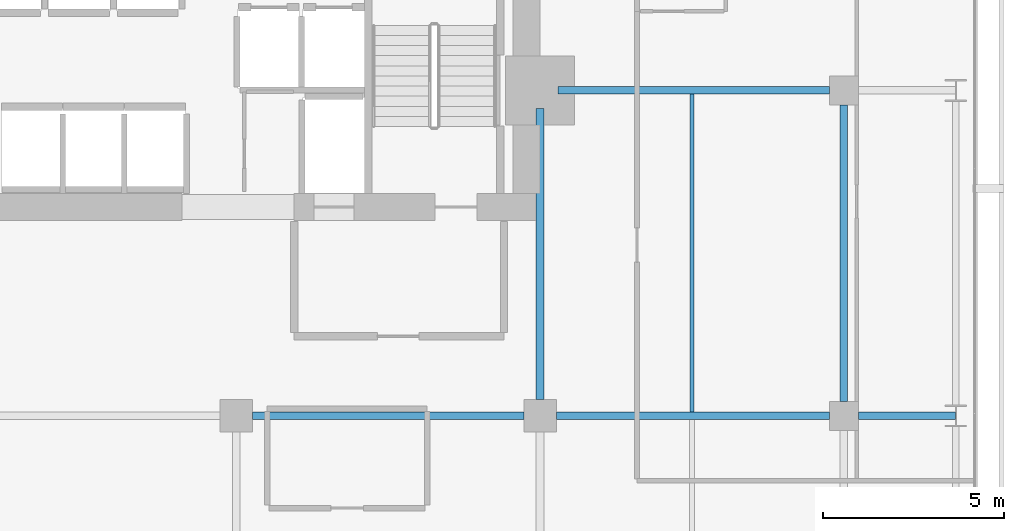
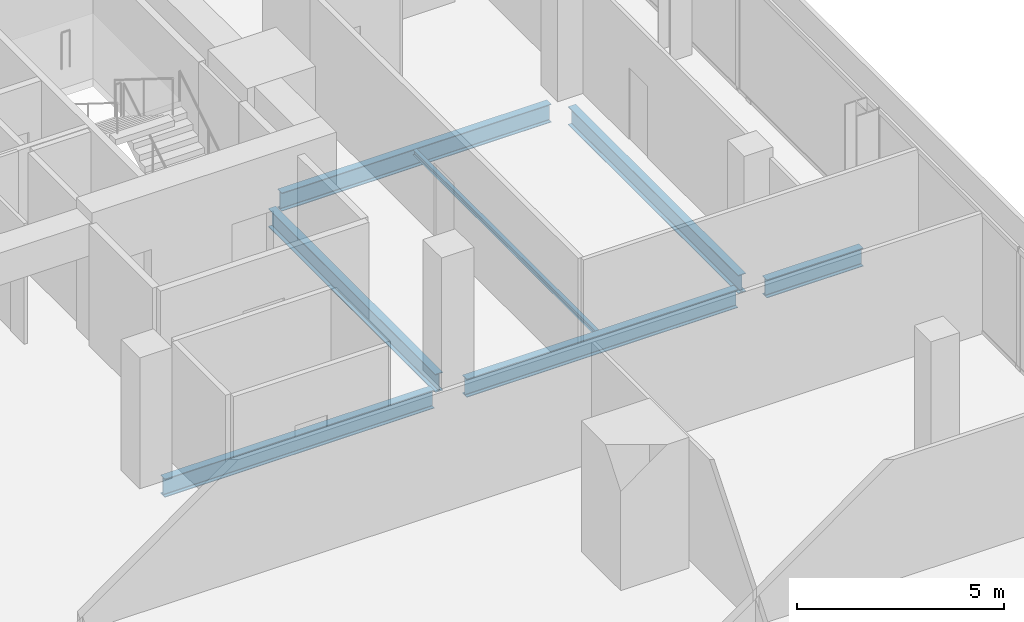
# One storey, part 23 of 32: 7 beams.
"""IFC4 building model written with IfcOpenShell, lengths in metres."""

from ifc_helpers import new_model, si_unit, direction, frame, origin, origin_2d, place, context, subcontext, project, spatial, i_section, extrude, material, material_profile, profile_set, type_object, element, save


model = new_model("IFC4")

# Units and contexts
model_context = context("Model", 3, precision=1e-05, world=origin(), true_north=direction((0.0, 1.0)))
body_context = subcontext(model_context, "Body", "Model", "MODEL_VIEW")
ifc_project = project(units=[si_unit("LENGTHUNIT", "METRE"), si_unit("AREAUNIT", "SQUARE_METRE"), si_unit("VOLUMEUNIT", "CUBIC_METRE"), si_unit("PLANEANGLEUNIT", "RADIAN"), si_unit("MASSUNIT", "GRAM", prefix="KILO")], contexts=[model_context])

# Site, building, storey
site_placement = place(None, origin())
site = spatial("IfcSite", under=ifc_project, at=site_placement, CompositionType="ELEMENT")
building_placement = place(site_placement, origin())
building = spatial("IfcBuilding", under=site, at=building_placement, Name="Maruvema Waterfront Hotel and Observation Tower", CompositionType="ELEMENT")
storey_placement = place(building_placement, frame((0.0, 0.0, 223.64990234375)))
storey = spatial("IfcBuildingStorey", under=building, at=storey_placement, Name="L55", CompositionType="ELEMENT", Elevation=223.64990234375)

# Beams
ifc_material_1 = material(Name="Steel ASTM A572 Grade 50", Category="steel")
ifc_material_profile_1 = material_profile(ifc_material_1, i_section(OverallWidth=0.2109375, OverallDepth=0.5390625, WebThickness=0.01171875, FlangeThickness=0.018798828125, FilletRadius=0.014892578125, at=origin_2d()), Name="W530x109.0")
ifc_profile_set_1 = profile_set([ifc_material_profile_1], Name="Steel ASTM A572 Grade 50")
beam_type_1 = type_object("IfcBeamType", Name="Primary Floor Girder W530x109.0", PredefinedType="BEAM", material=ifc_profile_set_1)
beam_1_placement = place(storey_placement, frame((42.449951171875, 36.0, -0.509521484375), z_axis=(1.0, 0.0, 0.0), x_axis=(0.0, 1.0, 0.0)))
element("IfcBeam", 1, at=beam_1_placement, inside=storey, type_object=beam_type_1, Name="L55 Floor Girder EW-27", PredefinedType="BEAM", context=body_context, shape_type="SweptSolid", body=[
    extrude(i_section(OverallWidth=0.2109375, OverallDepth=0.5390625, WebThickness=0.01171875, FlangeThickness=0.018798828125, FilletRadius=0.014892578125, at=origin_2d()), origin(), (0.0, 0.0, 1.0), 7.5),
])
beam_2_placement = place(storey_placement, frame((50.85009765625, 36.0, -0.509521484375), z_axis=(1.0, 0.0, 0.0), x_axis=(0.0, 1.0, 0.0)))
element("IfcBeam", 2, at=beam_2_placement, inside=storey, type_object=beam_type_1, Name="L55 Floor Girder EW-28", PredefinedType="BEAM", context=body_context, shape_type="SweptSolid", body=[
    extrude(i_section(OverallWidth=0.2109375, OverallDepth=0.5390625, WebThickness=0.01171875, FlangeThickness=0.018798828125, FilletRadius=0.014892578125, at=origin_2d()), origin(), (0.0, 0.0, 1.0), 7.5498046875),
])
beam_3_placement = place(storey_placement, frame((59.199951171875, 36.0, -0.509521484375), z_axis=(1.0, 0.0, 0.0), x_axis=(0.0, 1.0, 0.0)))
element("IfcBeam", 3, at=beam_3_placement, inside=storey, type_object=beam_type_1, Name="L55 Floor Girder EW-29", PredefinedType="BEAM", context=body_context, shape_type="SweptSolid", body=[
    extrude(i_section(OverallWidth=0.2109375, OverallDepth=0.5390625, WebThickness=0.01171875, FlangeThickness=0.018798828125, FilletRadius=0.014892578125, at=origin_2d()), origin(), (0.0, 0.0, 1.0), 2.6875),
])
beam_4_placement = place(storey_placement, frame((50.89990234375, 45.0, -0.509521484375), z_axis=(1.0, 0.0, 0.0), x_axis=(0.0, 1.0, 0.0)))
element("IfcBeam", 4, at=beam_4_placement, inside=storey, type_object=beam_type_1, Name="L55 Floor Girder EW-32", PredefinedType="BEAM", context=body_context, shape_type="SweptSolid", body=[
    extrude(i_section(OverallWidth=0.2109375, OverallDepth=0.5390625, WebThickness=0.01171875, FlangeThickness=0.018798828125, FilletRadius=0.014892578125, at=origin_2d()), origin(), (0.0, 0.0, 1.0), 7.5),
])
beam_5_placement = place(storey_placement, frame((50.39990234375, 36.449951171875, -0.509521484375), z_axis=(0.0, 1.0, 0.0), x_axis=(-1.0, 0.0, 0.0)))
element("IfcBeam", 5, at=beam_5_placement, inside=storey, type_object=beam_type_1, Name="L55 Floor Girder NS-24", PredefinedType="BEAM", context=body_context, shape_type="SweptSolid", body=[
    extrude(i_section(OverallWidth=0.2109375, OverallDepth=0.5390625, WebThickness=0.01171875, FlangeThickness=0.018798828125, FilletRadius=0.014892578125, at=origin_2d()), origin(), (0.0, 0.0, 1.0), 8.050048828125),
])
beam_6_placement = place(storey_placement, frame((58.800048828125, 36.39990234375, -0.509521484375), z_axis=(0.0, 1.0, 0.0), x_axis=(-1.0, 0.0, 0.0)))
element("IfcBeam", 6, at=beam_6_placement, inside=storey, type_object=beam_type_1, Name="L55 Floor Girder NS-28", PredefinedType="BEAM", context=body_context, shape_type="SweptSolid", body=[
    extrude(i_section(OverallWidth=0.2109375, OverallDepth=0.5390625, WebThickness=0.01171875, FlangeThickness=0.018798828125, FilletRadius=0.014892578125, at=origin_2d()), origin(), (0.0, 0.0, 1.0), 8.2001953125),
])
ifc_material_2 = material(Name="Steel ASTM A572 Grade 50", Category="steel")
ifc_material_profile_2 = material_profile(ifc_material_2, i_section(OverallWidth=0.10009765625, OverallDepth=0.153076171875, WebThickness=0.005859375, FlangeThickness=0.007080078125, FilletRadius=0.008056640625, at=origin_2d()), Name="W150x18.0")
ifc_profile_set_2 = profile_set([ifc_material_profile_2], Name="Steel ASTM A572 Grade 50")
beam_type_2 = type_object("IfcBeamType", Name="Secondary Floor Joist W150x18.0", PredefinedType="JOIST", material=ifc_profile_set_2)
beam_7_placement = place(storey_placement, frame((54.60009765625, 36.10546875, -0.31640625), z_axis=(0.0, 1.0, 0.0), x_axis=(-1.0, 0.0, 0.0)))
element("IfcBeam", 7, at=beam_7_placement, inside=storey, type_object=beam_type_2, Name="L55 Secondary Floor Joist JS-14", PredefinedType="JOIST", context=body_context, shape_type="SweptSolid", body=[
    extrude(i_section(OverallWidth=0.10009765625, OverallDepth=0.153076171875, WebThickness=0.005859375, FlangeThickness=0.007080078125, FilletRadius=0.008056640625, at=origin_2d()), origin(), (0.0, 0.0, 1.0), 8.7890625),
])

save(model, "model.ifc")
